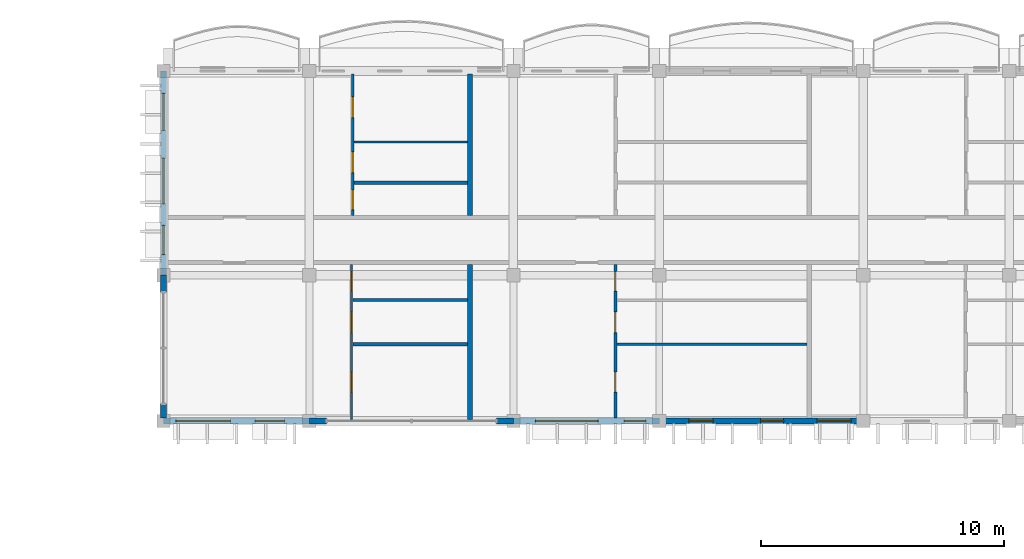
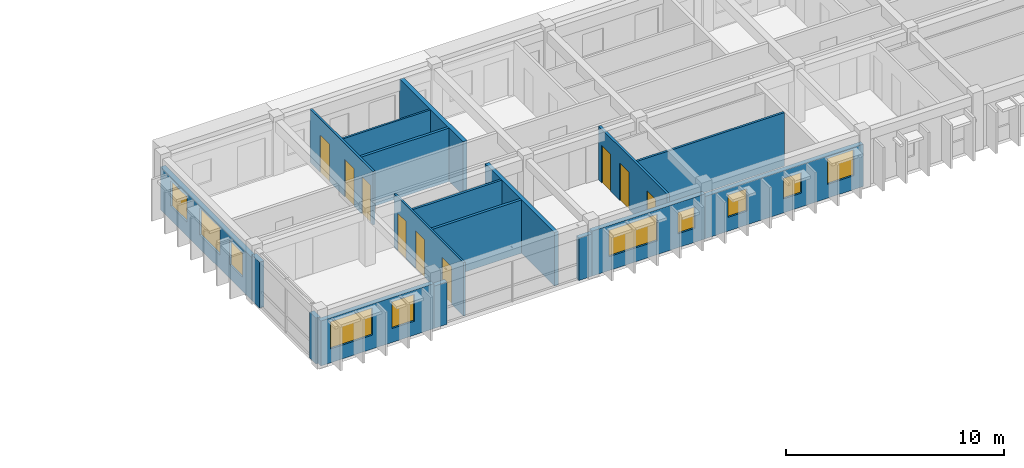
# One storey, part 14 of 31: 18 walls, 10 windows, 9 doors, 19 openings.
"""IFC4 building model written with IfcOpenShell, lengths in metres."""

from ifc_helpers import new_model, si_unit, direction, frame, frame_2d, origin, place, context, subcontext, project, spatial, rectangle, extrude, material, layer, layer_set, type_object, element, fill, save


model = new_model("IFC4")

# Units and contexts
model_context = context("Model", 3, precision=1e-05, world=origin(), true_north=direction((0.0, 1.0)))
body_context = subcontext(model_context, "Body", "Model", "MODEL_VIEW")
ifc_project = project(units=[si_unit("LENGTHUNIT", "METRE"), si_unit("AREAUNIT", "SQUARE_METRE"), si_unit("VOLUMEUNIT", "CUBIC_METRE"), si_unit("PLANEANGLEUNIT", "RADIAN"), si_unit("MASSUNIT", "GRAM", prefix="KILO"), si_unit("THERMODYNAMICTEMPERATUREUNIT", "KELVIN")], contexts=[model_context])

# Site, building, storey
site_placement = place(None, origin())
site = spatial("IfcSite", under=ifc_project, at=site_placement, CompositionType="ELEMENT")
building_placement = place(site_placement, origin())
building = spatial("IfcBuilding", under=site, at=building_placement, Name="Thalorik Housing Commons", CompositionType="ELEMENT")
storey_placement = place(building_placement, frame((0.0, 0.0, 37.800048828125)))
storey = spatial("IfcBuildingStorey", under=building, at=storey_placement, Name="L11", CompositionType="ELEMENT", Elevation=37.800048828125)

# Wall, openings, windows
ifc_material_1 = material(Name="White precast concrete C40/50", Category="concrete")
ifc_layer_1 = layer(ifc_material_1, 0.2451171875, Name="White precast concrete C40/50", Category="concrete")
ifc_layer_set_1 = layer_set([ifc_layer_1], Name="White precast concrete C40/50")
wall_type_1 = type_object("IfcWallType", Name="ARC-WAL-EXT-245", PredefinedType="STANDARD", material=ifc_layer_set_1)
wall_1_placement = place(storey_placement, frame((109.199951171875, 123.60009765625, 0.0), z_axis=(0.0, 0.0, 1.0), x_axis=(0.0, -1.0, 0.0)))
wall_1 = element("IfcWall", 1, at=wall_1_placement, inside=storey, type_object=wall_type_1, Name="L11 Exterior Wall WAL-EXT-L11-B-0779", PredefinedType="STANDARD", context=body_context, shape_type="SweptSolid", body=[
    extrude(rectangle(XDim=8.400146484375, YDim=0.2451171875, at=frame_2d((4.2001953125, 0.0))), origin(), (0.0, 0.0, 1.0), 2.425048828125),
])
opening_1_placement = place(wall_1_placement, frame((0.922607421875, 0.0, 0.780029296875)))
opening_1 = element("IfcOpeningElement", 2, at=opening_1_placement, cuts=wall_1, Name="Opening W-52", PredefinedType="OPENING", context=body_context, shape_type="SweptSolid", body=[
    extrude(rectangle(XDim=1.52001953125, YDim=1.419921875, at=frame_2d((0.760009765625, 0.7099609375))), frame((0.0, 0.132568359375, 0.0), z_axis=(0.0, -1.0, 0.0), x_axis=(1.0, 0.0, 0.0)), (0.0, 0.0, 1.0), 0.26513671875),
])
opening_2_placement = place(wall_1_placement, frame((3.58740234375, 0.0, 0.780029296875)))
opening_2 = element("IfcOpeningElement", 3, at=opening_2_placement, cuts=wall_1, Name="Opening W-59", PredefinedType="OPENING", context=body_context, shape_type="SweptSolid", body=[
    extrude(rectangle(XDim=1.8798828125, YDim=1.52001953125, at=frame_2d((0.93994140625, 0.760009765625))), frame((0.0, 0.132568359375, 0.0), z_axis=(0.0, -1.0, 0.0), x_axis=(1.0, 0.0, 0.0)), (0.0, 0.0, 1.0), 0.26513671875),
])
opening_3_placement = place(wall_1_placement, frame((6.35009765625, 0.0, 0.780029296875)))
opening_3 = element("IfcOpeningElement", 4, at=opening_3_placement, cuts=wall_1, Name="Opening W-04", PredefinedType="OPENING", context=body_context, shape_type="SweptSolid", body=[
    extrude(rectangle(XDim=1.199951171875, YDim=1.35009765625, at=frame_2d((0.60009765625, 0.675048828125))), frame((0.0, 0.132568359375, 0.0), z_axis=(0.0, -1.0, 0.0), x_axis=(1.0, 0.0, 0.0)), (0.0, 0.0, 1.0), 0.26513671875),
])
ifc_material_2 = material(Name="Anodised aluminium and solar-control low-E glass", Category="aluminium")
window_type_1 = type_object("IfcWindowType", Name="ARC-WIN-04", PartitioningType="SINGLE_PANEL", PredefinedType="WINDOW", material=ifc_material_2)
window_1_placement = place(opening_3_placement, origin())
window_1 = element("IfcWindow", 5, at=window_1_placement, inside=storey, type_object=window_type_1, Name="L11 Facade Window 1437", OverallHeight=1.35009765625, OverallWidth=1.199951171875, PartitioningType="SINGLE_PANEL", PredefinedType="WINDOW", context=body_context, shape_type="SweptSolid", body=[
    extrude(rectangle(XDim=1.199951171875, YDim=1.35009765625, at=frame_2d((0.60009765625, 0.675048828125))), frame((0.0, 0.030029296875, 0.0), z_axis=(0.0, -1.0, 0.0), x_axis=(1.0, 0.0, 0.0)), (0.0, 0.0, 1.0), 0.06005859375),
])
fill(opening_3, window_1)
window_type_2 = type_object("IfcWindowType", Name="ARC-WIN-52", PartitioningType="SINGLE_PANEL", PredefinedType="WINDOW", material=ifc_material_2)
window_2_placement = place(opening_1_placement, origin())
window_2 = element("IfcWindow", 6, at=window_2_placement, inside=storey, type_object=window_type_2, Name="L11 Facade Window 1435", OverallHeight=1.419921875, OverallWidth=1.52001953125, PartitioningType="SINGLE_PANEL", PredefinedType="WINDOW", context=body_context, shape_type="SweptSolid", body=[
    extrude(rectangle(XDim=1.52001953125, YDim=1.419921875, at=frame_2d((0.760009765625, 0.7099609375))), frame((0.0, 0.030029296875, 0.0), z_axis=(0.0, -1.0, 0.0), x_axis=(1.0, 0.0, 0.0)), (0.0, 0.0, 1.0), 0.06005859375),
])
fill(opening_1, window_2)
window_type_3 = type_object("IfcWindowType", Name="ARC-WIN-59", PartitioningType="DOUBLE_PANEL_VERTICAL", PredefinedType="WINDOW", material=ifc_material_2)
window_3_placement = place(opening_2_placement, origin())
window_3 = element("IfcWindow", 7, at=window_3_placement, inside=storey, type_object=window_type_3, Name="L11 Facade Window 1436", OverallHeight=1.52001953125, OverallWidth=1.8798828125, PartitioningType="DOUBLE_PANEL_VERTICAL", PredefinedType="WINDOW", context=body_context, shape_type="SweptSolid", body=[
    extrude(rectangle(XDim=1.8798828125, YDim=1.52001953125, at=frame_2d((0.93994140625, 0.760009765625))), frame((0.0, 0.030029296875, 0.0), z_axis=(0.0, -1.0, 0.0), x_axis=(1.0, 0.0, 0.0)), (0.0, 0.0, 1.0), 0.06005859375),
])
fill(opening_2, window_3)

# Walls
wall_2_placement = place(storey_placement, frame((109.199951171875, 115.199951171875, 0.0), z_axis=(0.0, 0.0, 1.0), x_axis=(0.0, -1.0, 0.0)))
element("IfcWall", 8, at=wall_2_placement, inside=storey, type_object=wall_type_1, Name="L11 Exterior Wall WAL-PIERL-L11-B-0780", PredefinedType="STANDARD", context=body_context, shape_type="SweptSolid", body=[
    extrude(rectangle(XDim=0.699951171875, YDim=0.2451171875, at=frame_2d((0.35009765625, 0.0))), origin(), (0.0, 0.0, 1.0), 2.574951171875),
])
wall_3_placement = place(storey_placement, frame((109.199951171875, 109.89990234375, 0.0), z_axis=(0.0, 0.0, 1.0), x_axis=(0.0, -1.0, 0.0)))
element("IfcWall", 9, at=wall_3_placement, inside=storey, type_object=wall_type_1, Name="L11 Exterior Wall WAL-PIERR-L11-B-0780", PredefinedType="STANDARD", context=body_context, shape_type="SweptSolid", body=[
    extrude(rectangle(XDim=0.575439453125, YDim=0.2451171875, at=frame_2d((0.28759765625, 0.0))), origin(), (0.0, 0.0, 1.0), 2.574951171875),
])

# Wall, openings, windows
wall_4_placement = place(storey_placement, frame((109.199951171875, 109.199951171875, 0.0), z_axis=(0.0, 0.0, 1.0), x_axis=(1.0, 0.0, 0.0)))
wall_4 = element("IfcWall", 10, at=wall_4_placement, inside=storey, type_object=wall_type_1, Name="L11 Exterior Wall WAL-EXT-L11-B-0781", PredefinedType="STANDARD", context=body_context, shape_type="SweptSolid", body=[
    extrude(rectangle(XDim=6.0, YDim=0.2451171875, at=frame_2d((3.0, 0.0))), origin(), (0.0, 0.0, 1.0), 2.52490234375),
])
opening_4_placement = place(wall_4_placement, frame((0.510009765625, 0.0, 0.780029296875)))
opening_4 = element("IfcOpeningElement", 11, at=opening_4_placement, cuts=wall_4, Name="Opening W-66", PredefinedType="OPENING", context=body_context, shape_type="SweptSolid", body=[
    extrude(rectangle(XDim=2.239990234375, YDim=1.52001953125, at=frame_2d((1.1201171875, 0.760009765625))), frame((0.0, 0.132568359375, 0.0), z_axis=(0.0, -1.0, 0.0), x_axis=(1.0, 0.0, 0.0)), (0.0, 0.0, 1.0), 0.26513671875),
])
opening_5_placement = place(wall_4_placement, frame((3.77001953125, 0.0, 0.780029296875)))
opening_5 = element("IfcOpeningElement", 12, at=opening_5_placement, cuts=wall_4, Name="Opening W-05", PredefinedType="OPENING", context=body_context, shape_type="SweptSolid", body=[
    extrude(rectangle(XDim=1.199951171875, YDim=1.5, at=frame_2d((0.60009765625, 0.75))), frame((0.0, 0.132568359375, 0.0), z_axis=(0.0, -1.0, 0.0), x_axis=(1.0, 0.0, 0.0)), (0.0, 0.0, 1.0), 0.26513671875),
])
window_type_4 = type_object("IfcWindowType", Name="ARC-WIN-05", PartitioningType="SINGLE_PANEL", PredefinedType="WINDOW", material=ifc_material_2)
window_4_placement = place(opening_5_placement, origin())
window_4 = element("IfcWindow", 13, at=window_4_placement, inside=storey, type_object=window_type_4, Name="L11 Facade Window 1439", OverallHeight=1.5, OverallWidth=1.199951171875, PartitioningType="SINGLE_PANEL", PredefinedType="WINDOW", context=body_context, shape_type="SweptSolid", body=[
    extrude(rectangle(XDim=1.199951171875, YDim=1.5, at=frame_2d((0.60009765625, 0.75))), frame((0.0, 0.030029296875, 0.0), z_axis=(0.0, -1.0, 0.0), x_axis=(1.0, 0.0, 0.0)), (0.0, 0.0, 1.0), 0.06005859375),
])
fill(opening_5, window_4)
window_type_5 = type_object("IfcWindowType", Name="ARC-WIN-66", PartitioningType="DOUBLE_PANEL_VERTICAL", PredefinedType="WINDOW", material=ifc_material_2)
window_5_placement = place(opening_4_placement, origin())
window_5 = element("IfcWindow", 14, at=window_5_placement, inside=storey, type_object=window_type_5, Name="L11 Facade Window 1438", OverallHeight=1.52001953125, OverallWidth=2.239990234375, PartitioningType="DOUBLE_PANEL_VERTICAL", PredefinedType="WINDOW", context=body_context, shape_type="SweptSolid", body=[
    extrude(rectangle(XDim=2.239990234375, YDim=1.52001953125, at=frame_2d((1.1201171875, 0.760009765625))), frame((0.0, 0.030029296875, 0.0), z_axis=(0.0, -1.0, 0.0), x_axis=(1.0, 0.0, 0.0)), (0.0, 0.0, 1.0), 0.06005859375),
])
fill(opening_4, window_5)

# Walls
wall_5_placement = place(storey_placement, frame((115.199951171875, 109.199951171875, 0.0), z_axis=(0.0, 0.0, 1.0), x_axis=(1.0, 0.0, 0.0)))
element("IfcWall", 15, at=wall_5_placement, inside=storey, type_object=wall_type_1, Name="L11 Exterior Wall WAL-PIERL-L11-B-0782", PredefinedType="STANDARD", context=body_context, shape_type="SweptSolid", body=[
    extrude(rectangle(XDim=0.699951171875, YDim=0.2451171875, at=frame_2d((0.35009765625, 0.0))), origin(), (0.0, 0.0, 1.0), 2.375),
])
wall_6_placement = place(storey_placement, frame((122.89990234375, 109.199951171875, 0.0), z_axis=(0.0, 0.0, 1.0), x_axis=(1.0, 0.0, 0.0)))
element("IfcWall", 16, at=wall_6_placement, inside=storey, type_object=wall_type_1, Name="L11 Exterior Wall WAL-PIERR-L11-B-0782", PredefinedType="STANDARD", context=body_context, shape_type="SweptSolid", body=[
    extrude(rectangle(XDim=0.7001953125, YDim=0.2451171875, at=frame_2d((0.35009765625, 0.0))), origin(), (0.0, 0.0, 1.0), 2.375),
])

# Wall, openings, windows
wall_7_placement = place(storey_placement, frame((123.60009765625, 109.199951171875, 0.0), z_axis=(0.0, 0.0, 1.0), x_axis=(1.0, 0.0, 0.0)))
wall_7 = element("IfcWall", 17, at=wall_7_placement, inside=storey, type_object=wall_type_1, Name="L11 Exterior Wall WAL-EXT-L11-B-0783", PredefinedType="STANDARD", context=body_context, shape_type="SweptSolid", body=[
    extrude(rectangle(XDim=6.0, YDim=0.2451171875, at=frame_2d((3.0, 0.0))), origin(), (0.0, 0.0, 1.0), 2.52490234375),
])
opening_6_placement = place(wall_7_placement, frame((0.89990234375, 0.0, 0.780029296875)))
opening_6 = element("IfcOpeningElement", 18, at=opening_6_placement, cuts=wall_7, Name="Opening W-73", PredefinedType="OPENING", context=body_context, shape_type="SweptSolid", body=[
    extrude(rectangle(XDim=2.580078125, YDim=1.47998046875, at=frame_2d((1.2900390625, 0.739990234375))), frame((0.0, 0.132568359375, 0.0), z_axis=(0.0, -1.0, 0.0), x_axis=(1.0, 0.0, 0.0)), (0.0, 0.0, 1.0), 0.26513671875),
])
opening_7_placement = place(wall_7_placement, frame((4.550048828125, 0.0, 0.780029296875)))
opening_7 = element("IfcOpeningElement", 19, at=opening_7_placement, cuts=wall_7, Name="Opening W-01", PredefinedType="OPENING", context=body_context, shape_type="SweptSolid", body=[
    extrude(rectangle(XDim=0.89990234375, YDim=1.199951171875, at=frame_2d((0.449951171875, 0.60009765625))), frame((0.0, 0.132568359375, 0.0), z_axis=(0.0, -1.0, 0.0), x_axis=(1.0, 0.0, 0.0)), (0.0, 0.0, 1.0), 0.26513671875),
])
window_type_6 = type_object("IfcWindowType", Name="ARC-WIN-01", PartitioningType="SINGLE_PANEL", PredefinedType="WINDOW", material=ifc_material_2)
window_6_placement = place(opening_7_placement, origin())
window_6 = element("IfcWindow", 20, at=window_6_placement, inside=storey, type_object=window_type_6, Name="L11 Facade Window 1441", OverallHeight=1.199951171875, OverallWidth=0.89990234375, PartitioningType="SINGLE_PANEL", PredefinedType="WINDOW", context=body_context, shape_type="SweptSolid", body=[
    extrude(rectangle(XDim=0.89990234375, YDim=1.199951171875, at=frame_2d((0.449951171875, 0.60009765625))), frame((0.0, 0.030029296875, 0.0), z_axis=(0.0, -1.0, 0.0), x_axis=(1.0, 0.0, 0.0)), (0.0, 0.0, 1.0), 0.06005859375),
])
fill(opening_7, window_6)
window_type_7 = type_object("IfcWindowType", Name="ARC-WIN-73", PartitioningType="DOUBLE_PANEL_VERTICAL", PredefinedType="WINDOW", material=ifc_material_2)
window_7_placement = place(opening_6_placement, origin())
window_7 = element("IfcWindow", 21, at=window_7_placement, inside=storey, type_object=window_type_7, Name="L11 Facade Window 1440", OverallHeight=1.47998046875, OverallWidth=2.580078125, PartitioningType="DOUBLE_PANEL_VERTICAL", PredefinedType="WINDOW", context=body_context, shape_type="SweptSolid", body=[
    extrude(rectangle(XDim=2.580078125, YDim=1.47998046875, at=frame_2d((1.2900390625, 0.739990234375))), frame((0.0, 0.030029296875, 0.0), z_axis=(0.0, -1.0, 0.0), x_axis=(1.0, 0.0, 0.0)), (0.0, 0.0, 1.0), 0.06005859375),
])
fill(opening_6, window_7)

wall_8_placement = place(storey_placement, frame((129.60009765625, 109.199951171875, 0.0), z_axis=(0.0, 0.0, 1.0), x_axis=(1.0, 0.0, 0.0)))
wall_8 = element("IfcWall", 22, at=wall_8_placement, inside=storey, type_object=wall_type_1, Name="L11 Exterior Wall WAL-EXT-L11-B-0784", PredefinedType="STANDARD", context=body_context, shape_type="SweptSolid", body=[
    extrude(rectangle(XDim=8.39990234375, YDim=0.2451171875, at=frame_2d((4.199951171875, 0.0))), origin(), (0.0, 0.0, 1.0), 2.375),
])
opening_8_placement = place(wall_8_placement, frame((1.219970703125, 0.0, 0.780029296875)))
opening_8 = element("IfcOpeningElement", 23, at=opening_8_placement, cuts=wall_8, Name="Opening W-02", PredefinedType="OPENING", context=body_context, shape_type="SweptSolid", body=[
    extrude(rectangle(XDim=1.0, YDim=1.25, at=frame_2d((0.5, 0.625))), frame((0.0, 0.132568359375, 0.0), z_axis=(0.0, -1.0, 0.0), x_axis=(1.0, 0.0, 0.0)), (0.0, 0.0, 1.0), 0.26513671875),
])
opening_9_placement = place(wall_8_placement, frame((4.1650390625, 0.0, 0.780029296875)))
opening_9 = element("IfcOpeningElement", 24, at=opening_9_placement, cuts=wall_8, Name="Opening W-43", PredefinedType="OPENING", context=body_context, shape_type="SweptSolid", body=[
    extrude(rectangle(XDim=0.949951171875, YDim=1.14990234375, at=frame_2d((0.47509765625, 0.574951171875))), frame((0.0, 0.132568359375, 0.0), z_axis=(0.0, -1.0, 0.0), x_axis=(1.0, 0.0, 0.0)), (0.0, 0.0, 1.0), 0.26513671875),
])
opening_10_placement = place(wall_8_placement, frame((6.489990234375, 0.0, 0.780029296875)))
opening_10 = element("IfcOpeningElement", 25, at=opening_10_placement, cuts=wall_8, Name="Opening W-08", PredefinedType="OPENING", context=body_context, shape_type="SweptSolid", body=[
    extrude(rectangle(XDim=1.39990234375, YDim=1.449951171875, at=frame_2d((0.699951171875, 0.72509765625))), frame((0.0, 0.132568359375, 0.0), z_axis=(0.0, -1.0, 0.0), x_axis=(1.0, 0.0, 0.0)), (0.0, 0.0, 1.0), 0.26513671875),
])
window_type_8 = type_object("IfcWindowType", Name="ARC-WIN-02", PartitioningType="SINGLE_PANEL", PredefinedType="WINDOW", material=ifc_material_2)
window_8_placement = place(opening_8_placement, origin())
window_8 = element("IfcWindow", 26, at=window_8_placement, inside=storey, type_object=window_type_8, Name="L11 Facade Window 1442", OverallHeight=1.25, OverallWidth=1.0, PartitioningType="SINGLE_PANEL", PredefinedType="WINDOW", context=body_context, shape_type="SweptSolid", body=[
    extrude(rectangle(XDim=1.0, YDim=1.25, at=frame_2d((0.5, 0.625))), frame((0.0, 0.030029296875, 0.0), z_axis=(0.0, -1.0, 0.0), x_axis=(1.0, 0.0, 0.0)), (0.0, 0.0, 1.0), 0.06005859375),
])
fill(opening_8, window_8)
window_type_9 = type_object("IfcWindowType", Name="ARC-WIN-08", PartitioningType="SINGLE_PANEL", PredefinedType="WINDOW", material=ifc_material_2)
window_9_placement = place(opening_10_placement, origin())
window_9 = element("IfcWindow", 27, at=window_9_placement, inside=storey, type_object=window_type_9, Name="L11 Facade Window 1444", OverallHeight=1.449951171875, OverallWidth=1.39990234375, PartitioningType="SINGLE_PANEL", PredefinedType="WINDOW", context=body_context, shape_type="SweptSolid", body=[
    extrude(rectangle(XDim=1.39990234375, YDim=1.449951171875, at=frame_2d((0.699951171875, 0.72509765625))), frame((0.0, 0.030029296875, 0.0), z_axis=(0.0, -1.0, 0.0), x_axis=(1.0, 0.0, 0.0)), (0.0, 0.0, 1.0), 0.06005859375),
])
fill(opening_10, window_9)
window_type_10 = type_object("IfcWindowType", Name="ARC-WIN-43", PartitioningType="SINGLE_PANEL", PredefinedType="WINDOW", material=ifc_material_2)
window_10_placement = place(opening_9_placement, origin())
window_10 = element("IfcWindow", 28, at=window_10_placement, inside=storey, type_object=window_type_10, Name="L11 Facade Window 1443", OverallHeight=1.14990234375, OverallWidth=0.949951171875, PartitioningType="SINGLE_PANEL", PredefinedType="WINDOW", context=body_context, shape_type="SweptSolid", body=[
    extrude(rectangle(XDim=0.949951171875, YDim=1.14990234375, at=frame_2d((0.47509765625, 0.574951171875))), frame((0.0, 0.030029296875, 0.0), z_axis=(0.0, -1.0, 0.0), x_axis=(1.0, 0.0, 0.0)), (0.0, 0.0, 1.0), 0.06005859375),
])
fill(opening_9, window_10)

# Wall, openings, doors
ifc_material_3 = material(Name="Gypsum light stud partition", Category="masonry")
ifc_layer_2 = layer(ifc_material_3, 0.10009765625, Name="Gypsum light stud partition", Category="masonry")
ifc_layer_set_2 = layer_set([ifc_layer_2], Name="Gypsum light stud partition")
wall_type_2 = type_object("IfcWallType", Name="ARC-WAL-PART-100", PredefinedType="PARTITIONING", material=ifc_layer_set_2)
wall_9_placement = place(storey_placement, frame((116.93505859375, 109.260009765625, 0.0), z_axis=(0.0, 0.0, 1.0), x_axis=(0.0, 1.0, 0.0)))
wall_9 = element("IfcWall", 29, at=wall_9_placement, inside=storey, type_object=wall_type_2, Name="L11 Unit 1 Spine Partition", PredefinedType="PARTITIONING", context=body_context, shape_type="SweptSolid", body=[
    extrude(rectangle(XDim=6.383056640625, YDim=0.10009765625, at=frame_2d((3.19140625, 0.0))), origin(), (0.0, 0.0, 1.0), 3.0),
])
opening_11_placement = place(wall_9_placement, frame((1.12548828125, 0.0, 0.0)))
opening_11 = element("IfcOpeningElement", 30, at=opening_11_placement, cuts=wall_9, Name="Opening ID-1478", PredefinedType="OPENING", context=body_context, shape_type="SweptSolid", body=[
    extrude(rectangle(XDim=0.85009765625, YDim=2.10009765625, at=frame_2d((0.425048828125, 1.050048828125))), frame((0.0, 0.06005859375, 0.0), z_axis=(0.0, -1.0, 0.0), x_axis=(1.0, 0.0, 0.0)), (0.0, 0.0, 1.0), 0.1201171875),
])
opening_12_placement = place(wall_9_placement, frame((3.580078125, 0.0, 0.0)))
opening_12 = element("IfcOpeningElement", 31, at=opening_12_placement, cuts=wall_9, Name="Opening ID-1479", PredefinedType="OPENING", context=body_context, shape_type="SweptSolid", body=[
    extrude(rectangle(XDim=0.85009765625, YDim=2.10009765625, at=frame_2d((0.425048828125, 1.050048828125))), frame((0.0, 0.06005859375, 0.0), z_axis=(0.0, -1.0, 0.0), x_axis=(1.0, 0.0, 0.0)), (0.0, 0.0, 1.0), 0.1201171875),
])
opening_13_placement = place(wall_9_placement, frame((5.284912109375, 0.0, 0.0)))
opening_13 = element("IfcOpeningElement", 32, at=opening_13_placement, cuts=wall_9, Name="Opening ID-1480", PredefinedType="OPENING", context=body_context, shape_type="SweptSolid", body=[
    extrude(rectangle(XDim=0.800048828125, YDim=2.10009765625, at=frame_2d((0.39990234375, 1.050048828125))), frame((0.0, 0.06005859375, 0.0), z_axis=(0.0, -1.0, 0.0), x_axis=(1.0, 0.0, 0.0)), (0.0, 0.0, 1.0), 0.1201171875),
])
ifc_material_4 = material(Name="Moisture-resistant timber", Category="wood")
door_type_1 = type_object("IfcDoorType", Name="ARC-DR-INT-800", OperationType="NOTDEFINED", PredefinedType="DOOR", material=ifc_material_4)
door_1_placement = place(opening_13_placement, origin())
door_1 = element("IfcDoor", 33, at=door_1_placement, inside=storey, type_object=door_type_1, Name="L11 Accessible Bathroom Door", OperationType="SINGLE_SWING_LEFT", OverallHeight=2.10009765625, OverallWidth=0.800048828125, PredefinedType="DOOR", context=body_context, shape_type="SweptSolid", body=[
    extrude(rectangle(XDim=0.800048828125, YDim=2.10009765625, at=frame_2d((0.39990234375, 1.050048828125))), frame((0.0, 0.02490234375, 0.0), z_axis=(0.0, -1.0, 0.0), x_axis=(1.0, 0.0, 0.0)), (0.0, 0.0, 1.0), 0.050048828125),
])
fill(opening_13, door_1)
ifc_material_5 = material(Name="Engineered oak timber", Category="wood")
door_type_2 = type_object("IfcDoorType", Name="ARC-DR-INT-850", OperationType="NOTDEFINED", PredefinedType="DOOR", material=ifc_material_5)
door_2_placement = place(opening_11_placement, origin())
door_2 = element("IfcDoor", 34, at=door_2_placement, inside=storey, type_object=door_type_2, Name="L11 Children's Bedroom Door", OperationType="SINGLE_SWING_LEFT", OverallHeight=2.10009765625, OverallWidth=0.85009765625, PredefinedType="DOOR", context=body_context, shape_type="SweptSolid", body=[
    extrude(rectangle(XDim=0.85009765625, YDim=2.10009765625, at=frame_2d((0.425048828125, 1.050048828125))), frame((0.0, 0.02490234375, 0.0), z_axis=(0.0, -1.0, 0.0), x_axis=(1.0, 0.0, 0.0)), (0.0, 0.0, 1.0), 0.050048828125),
])
fill(opening_11, door_2)
door_3_placement = place(opening_12_placement, origin())
door_3 = element("IfcDoor", 35, at=door_3_placement, inside=storey, type_object=door_type_2, Name="L11 Eat-In Kitchen Door", OperationType="SINGLE_SWING_RIGHT", OverallHeight=2.10009765625, OverallWidth=0.85009765625, PredefinedType="DOOR", context=body_context, shape_type="SweptSolid", body=[
    extrude(rectangle(XDim=0.85009765625, YDim=2.10009765625, at=frame_2d((0.425048828125, 1.050048828125))), frame((0.0, 0.02490234375, 0.0), z_axis=(0.0, -1.0, 0.0), x_axis=(1.0, 0.0, 0.0)), (0.0, 0.0, 1.0), 0.050048828125),
])
fill(opening_12, door_3)

# Wall
wall_10_placement = place(storey_placement, frame((117.04345703125, 120.67919921875, 0.0), z_axis=(0.0, 0.0, 1.0), x_axis=(1.0, 0.0, 0.0)))
element("IfcWall", 36, at=wall_10_placement, inside=storey, type_object=wall_type_2, Name="L11 Unit 1B Bedroom Partition", PredefinedType="PARTITIONING", context=body_context, shape_type="SweptSolid", body=[
    extrude(rectangle(XDim=4.654541015625, YDim=0.10009765625, at=frame_2d((2.3271484375, 0.0))), origin(), (0.0, 0.0, 1.0), 3.0),
])

# Wall, openings, doors
ifc_material_6 = material(Name="Gypsum moisture-resistant partition", Category="masonry")
ifc_layer_3 = layer(ifc_material_6, 0.114990234375, Name="Gypsum moisture-resistant partition", Category="masonry")
ifc_layer_set_3 = layer_set([ifc_layer_3], Name="Gypsum moisture-resistant partition")
wall_type_3 = type_object("IfcWallType", Name="ARC-WAL-PART-115", PredefinedType="PARTITIONING", material=ifc_layer_set_3)
wall_11_placement = place(storey_placement, frame((116.98388671875, 117.66455078125, 0.0), z_axis=(0.0, 0.0, 1.0), x_axis=(0.0, 1.0, 0.0)))
wall_11 = element("IfcWall", 37, at=wall_11_placement, inside=storey, type_object=wall_type_3, Name="L11 Unit 1B Spine Partition", PredefinedType="PARTITIONING", context=body_context, shape_type="SweptSolid", body=[
    extrude(rectangle(XDim=5.81103515625, YDim=0.114990234375, at=frame_2d((2.905517578125, 0.0))), origin(), (0.0, 0.0, 1.0), 3.0),
])
opening_14_placement = place(wall_11_placement, frame((0.230712890625, 0.0, 0.0)))
opening_14 = element("IfcOpeningElement", 38, at=opening_14_placement, cuts=wall_11, Name="Opening ID-1481", PredefinedType="OPENING", context=body_context, shape_type="SweptSolid", body=[
    extrude(rectangle(XDim=0.800048828125, YDim=2.10009765625, at=frame_2d((0.39990234375, 1.050048828125))), frame((0.0, 0.0673828125, 0.0), z_axis=(0.0, -1.0, 0.0), x_axis=(1.0, 0.0, 0.0)), (0.0, 0.0, 1.0), 0.135009765625),
])
opening_15_placement = place(wall_11_placement, frame((1.75537109375, 0.0, 0.0)))
opening_15 = element("IfcOpeningElement", 39, at=opening_15_placement, cuts=wall_11, Name="Opening ID-1482", PredefinedType="OPENING", context=body_context, shape_type="SweptSolid", body=[
    extrude(rectangle(XDim=0.85009765625, YDim=2.10009765625, at=frame_2d((0.425048828125, 1.050048828125))), frame((0.0, 0.0673828125, 0.0), z_axis=(0.0, -1.0, 0.0), x_axis=(1.0, 0.0, 0.0)), (0.0, 0.0, 1.0), 0.135009765625),
])
opening_16_placement = place(wall_11_placement, frame((4.02001953125, 0.0, 0.0)))
opening_16 = element("IfcOpeningElement", 40, at=opening_16_placement, cuts=wall_11, Name="Opening ID-1483", PredefinedType="OPENING", context=body_context, shape_type="SweptSolid", body=[
    extrude(rectangle(XDim=0.85009765625, YDim=2.10009765625, at=frame_2d((0.425048828125, 1.050048828125))), frame((0.0, 0.0673828125, 0.0), z_axis=(0.0, -1.0, 0.0), x_axis=(1.0, 0.0, 0.0)), (0.0, 0.0, 1.0), 0.135009765625),
])
door_4_placement = place(opening_14_placement, origin())
door_4 = element("IfcDoor", 41, at=door_4_placement, inside=storey, type_object=door_type_1, Name="L11 Flat Bathroom Door", OperationType="SINGLE_SWING_RIGHT", OverallHeight=2.10009765625, OverallWidth=0.800048828125, PredefinedType="DOOR", context=body_context, shape_type="SweptSolid", body=[
    extrude(rectangle(XDim=0.800048828125, YDim=2.10009765625, at=frame_2d((0.39990234375, 1.050048828125))), frame((0.0, 0.02490234375, 0.0), z_axis=(0.0, -1.0, 0.0), x_axis=(1.0, 0.0, 0.0)), (0.0, 0.0, 1.0), 0.050048828125),
])
fill(opening_14, door_4)
door_5_placement = place(opening_15_placement, origin())
door_5 = element("IfcDoor", 42, at=door_5_placement, inside=storey, type_object=door_type_2, Name="L11 Eat-In Kitchen Door", OperationType="SINGLE_SWING_LEFT", OverallHeight=2.10009765625, OverallWidth=0.85009765625, PredefinedType="DOOR", context=body_context, shape_type="SweptSolid", body=[
    extrude(rectangle(XDim=0.85009765625, YDim=2.10009765625, at=frame_2d((0.425048828125, 1.050048828125))), frame((0.0, 0.02490234375, 0.0), z_axis=(0.0, -1.0, 0.0), x_axis=(1.0, 0.0, 0.0)), (0.0, 0.0, 1.0), 0.050048828125),
])
fill(opening_15, door_5)
door_6_placement = place(opening_16_placement, origin())
door_6 = element("IfcDoor", 43, at=door_6_placement, inside=storey, type_object=door_type_2, Name="L11 Master Bedroom Door", OperationType="SINGLE_SWING_RIGHT", OverallHeight=2.10009765625, OverallWidth=0.85009765625, PredefinedType="DOOR", context=body_context, shape_type="SweptSolid", body=[
    extrude(rectangle(XDim=0.85009765625, YDim=2.10009765625, at=frame_2d((0.425048828125, 1.050048828125))), frame((0.0, 0.02490234375, 0.0), z_axis=(0.0, -1.0, 0.0), x_axis=(1.0, 0.0, 0.0)), (0.0, 0.0, 1.0), 0.050048828125),
])
fill(opening_16, door_6)

# Walls
wall_12_placement = place(storey_placement, frame((127.8544921875, 112.36083984375, 0.0), z_axis=(0.0, 0.0, 1.0), x_axis=(1.0, 0.0, 0.0)))
element("IfcWall", 44, at=wall_12_placement, inside=storey, type_object=wall_type_3, Name="L11 Unit 2 Bedroom Partition", PredefinedType="PARTITIONING", context=body_context, shape_type="SweptSolid", body=[
    extrude(rectangle(XDim=7.821044921875, YDim=0.114990234375, at=frame_2d((3.91064453125, 0.0))), origin(), (0.0, 0.0, 1.0), 3.0),
])
ifc_material_7 = material(Name="Gypsum acoustic stud partition", Category="masonry")
ifc_layer_4 = layer(ifc_material_7, 0.125, Name="Gypsum acoustic stud partition", Category="masonry")
ifc_layer_set_4 = layer_set([ifc_layer_4], Name="Gypsum acoustic stud partition")
wall_type_4 = type_object("IfcWallType", Name="ARC-WAL-PART-125", PredefinedType="PARTITIONING", material=ifc_layer_set_4)
wall_13_placement = place(storey_placement, frame((116.987060546875, 114.169677734375, 0.0), z_axis=(0.0, 0.0, 1.0), x_axis=(1.0, 0.0, 0.0)))
element("IfcWall", 45, at=wall_13_placement, inside=storey, type_object=wall_type_4, Name="L11 Unit 1 Wet Wall", PredefinedType="PARTITIONING", context=body_context, shape_type="SweptSolid", body=[
    extrude(rectangle(XDim=4.720947265625, YDim=0.125, at=frame_2d((2.3603515625, 0.0))), origin(), (0.0, 0.0, 1.0), 3.0),
])

# Wall, openings, doors
wall_14_placement = place(storey_placement, frame((127.7900390625, 109.324462890625, 0.0), z_axis=(0.0, 0.0, 1.0), x_axis=(0.0, 1.0, 0.0)))
wall_14 = element("IfcWall", 46, at=wall_14_placement, inside=storey, type_object=wall_type_4, Name="L11 Unit 2 Spine Partition", PredefinedType="PARTITIONING", context=body_context, shape_type="SweptSolid", body=[
    extrude(rectangle(XDim=6.318603515625, YDim=0.125, at=frame_2d((3.1591796875, 0.0))), origin(), (0.0, 0.0, 1.0), 3.0),
])
opening_17_placement = place(wall_14_placement, frame((1.060791015625, 0.0, 0.0)))
opening_17 = element("IfcOpeningElement", 47, at=opening_17_placement, cuts=wall_14, Name="Opening ID-1484", PredefinedType="OPENING", context=body_context, shape_type="SweptSolid", body=[
    extrude(rectangle(XDim=0.820068359375, YDim=2.080078125, at=frame_2d((0.41015625, 1.0400390625))), frame((0.0, 0.072509765625, 0.0), z_axis=(0.0, -1.0, 0.0), x_axis=(1.0, 0.0, 0.0)), (0.0, 0.0, 1.0), 0.14501953125),
])
opening_18_placement = place(wall_14_placement, frame((3.515625, 0.0, 0.0)))
opening_18 = element("IfcOpeningElement", 48, at=opening_18_placement, cuts=wall_14, Name="Opening ID-1485", PredefinedType="OPENING", context=body_context, shape_type="SweptSolid", body=[
    extrude(rectangle(XDim=0.85009765625, YDim=2.10009765625, at=frame_2d((0.425048828125, 1.050048828125))), frame((0.0, 0.072509765625, 0.0), z_axis=(0.0, -1.0, 0.0), x_axis=(1.0, 0.0, 0.0)), (0.0, 0.0, 1.0), 0.14501953125),
])
opening_19_placement = place(wall_14_placement, frame((5.22021484375, 0.0, 0.0)))
opening_19 = element("IfcOpeningElement", 49, at=opening_19_placement, cuts=wall_14, Name="Opening ID-1486", PredefinedType="OPENING", context=body_context, shape_type="SweptSolid", body=[
    extrude(rectangle(XDim=0.800048828125, YDim=2.10009765625, at=frame_2d((0.39990234375, 1.050048828125))), frame((0.0, 0.072509765625, 0.0), z_axis=(0.0, -1.0, 0.0), x_axis=(1.0, 0.0, 0.0)), (0.0, 0.0, 1.0), 0.14501953125),
])
door_7_placement = place(opening_19_placement, origin())
door_7 = element("IfcDoor", 50, at=door_7_placement, inside=storey, type_object=door_type_1, Name="L11 Flat Bathroom Door", OperationType="SINGLE_SWING_LEFT", OverallHeight=2.10009765625, OverallWidth=0.800048828125, PredefinedType="DOOR", context=body_context, shape_type="SweptSolid", body=[
    extrude(rectangle(XDim=0.800048828125, YDim=2.10009765625, at=frame_2d((0.39990234375, 1.050048828125))), frame((0.0, 0.02490234375, 0.0), z_axis=(0.0, -1.0, 0.0), x_axis=(1.0, 0.0, 0.0)), (0.0, 0.0, 1.0), 0.050048828125),
])
fill(opening_19, door_7)
door_type_3 = type_object("IfcDoorType", Name="ARC-DR-INT-820", OperationType="NOTDEFINED", PredefinedType="DOOR", material=ifc_material_5)
door_8_placement = place(opening_17_placement, origin())
door_8 = element("IfcDoor", 51, at=door_8_placement, inside=storey, type_object=door_type_3, Name="L11 Double Bedroom Door", OperationType="SINGLE_SWING_LEFT", OverallHeight=2.080078125, OverallWidth=0.820068359375, PredefinedType="DOOR", context=body_context, shape_type="SweptSolid", body=[
    extrude(rectangle(XDim=0.820068359375, YDim=2.080078125, at=frame_2d((0.41015625, 1.0400390625))), frame((0.0, 0.02490234375, 0.0), z_axis=(0.0, -1.0, 0.0), x_axis=(1.0, 0.0, 0.0)), (0.0, 0.0, 1.0), 0.050048828125),
])
fill(opening_17, door_8)
door_9_placement = place(opening_18_placement, origin())
door_9 = element("IfcDoor", 52, at=door_9_placement, inside=storey, type_object=door_type_2, Name="L11 Galley Kitchen Door", OperationType="SINGLE_SWING_RIGHT", OverallHeight=2.10009765625, OverallWidth=0.85009765625, PredefinedType="DOOR", context=body_context, shape_type="SweptSolid", body=[
    extrude(rectangle(XDim=0.85009765625, YDim=2.10009765625, at=frame_2d((0.425048828125, 1.050048828125))), frame((0.0, 0.02490234375, 0.0), z_axis=(0.0, -1.0, 0.0), x_axis=(1.0, 0.0, 0.0)), (0.0, 0.0, 1.0), 0.050048828125),
])
fill(opening_18, door_9)

# Walls
ifc_material_8 = material(Name="Ceramic masonry partition wall", Category="masonry")
ifc_layer_5 = layer(ifc_material_8, 0.139892578125, Name="Ceramic masonry partition wall", Category="masonry")
ifc_layer_set_5 = layer_set([ifc_layer_5], Name="Ceramic masonry partition wall")
wall_type_5 = type_object("IfcWallType", Name="ARC-WAL-PART-140", PredefinedType="PARTITIONING", material=ifc_layer_set_5)
wall_15_placement = place(storey_placement, frame((116.987060546875, 112.36083984375, 0.0), z_axis=(0.0, 0.0, 1.0), x_axis=(1.0, 0.0, 0.0)))
element("IfcWall", 53, at=wall_15_placement, inside=storey, type_object=wall_type_5, Name="L11 Unit 1 Bedroom Partition", PredefinedType="PARTITIONING", context=body_context, shape_type="SweptSolid", body=[
    extrude(rectangle(XDim=4.720947265625, YDim=0.139892578125, at=frame_2d((2.3603515625, 0.0))), origin(), (0.0, 0.0, 1.0), 3.0),
])
wall_16_placement = place(storey_placement, frame((117.04345703125, 119.010498046875, 0.0), z_axis=(0.0, 0.0, 1.0), x_axis=(1.0, 0.0, 0.0)))
element("IfcWall", 54, at=wall_16_placement, inside=storey, type_object=wall_type_5, Name="L11 Unit 1B Wet Wall", PredefinedType="PARTITIONING", context=body_context, shape_type="SweptSolid", body=[
    extrude(rectangle(XDim=4.654541015625, YDim=0.139892578125, at=frame_2d((2.3271484375, 0.0))), origin(), (0.0, 0.0, 1.0), 3.0),
])
ifc_material_9 = material(Name="Precast concrete C40/50 acoustic wall", Category="concrete")
ifc_layer_6 = layer(ifc_material_9, 0.199951171875, Name="Precast concrete C40/50 acoustic wall", Category="concrete")
ifc_layer_set_6 = layer_set([ifc_layer_6], Name="Precast concrete C40/50 acoustic wall")
wall_type_6 = type_object("IfcWallType", Name="ARC-WAL-PARTY-200", PredefinedType="PARTITIONING", material=ifc_layer_set_6)
wall_17_placement = place(storey_placement, frame((121.81005859375, 109.260009765625, 0.0), z_axis=(0.0, 0.0, 1.0), x_axis=(0.0, 1.0, 0.0)))
element("IfcWall", 55, at=wall_17_placement, inside=storey, type_object=wall_type_6, Name="L11 Inter-Tenancy Wall 1A", PredefinedType="PARTITIONING", context=body_context, shape_type="SweptSolid", body=[
    extrude(rectangle(XDim=6.383056640625, YDim=0.199951171875, at=frame_2d((3.19140625, 0.0))), origin(), (0.0, 0.0, 1.0), 3.0),
])
ifc_layer_7 = layer(ifc_material_9, 0.219970703125, Name="Precast concrete C40/50 acoustic wall", Category="concrete")
ifc_layer_set_7 = layer_set([ifc_layer_7], Name="Precast concrete C40/50 acoustic wall")
wall_type_7 = type_object("IfcWallType", Name="ARC-WAL-PARTY-220", PredefinedType="PARTITIONING", material=ifc_layer_set_7)
wall_18_placement = place(storey_placement, frame((121.81005859375, 117.66455078125, 0.0), z_axis=(0.0, 0.0, 1.0), x_axis=(0.0, 1.0, 0.0)))
element("IfcWall", 56, at=wall_18_placement, inside=storey, type_object=wall_type_7, Name="L11 Inter-Tenancy Wall 1B", PredefinedType="PARTITIONING", context=body_context, shape_type="SweptSolid", body=[
    extrude(rectangle(XDim=5.81103515625, YDim=0.219970703125, at=frame_2d((2.905517578125, 0.0))), origin(), (0.0, 0.0, 1.0), 3.0),
])

save(model, "model.ifc")
